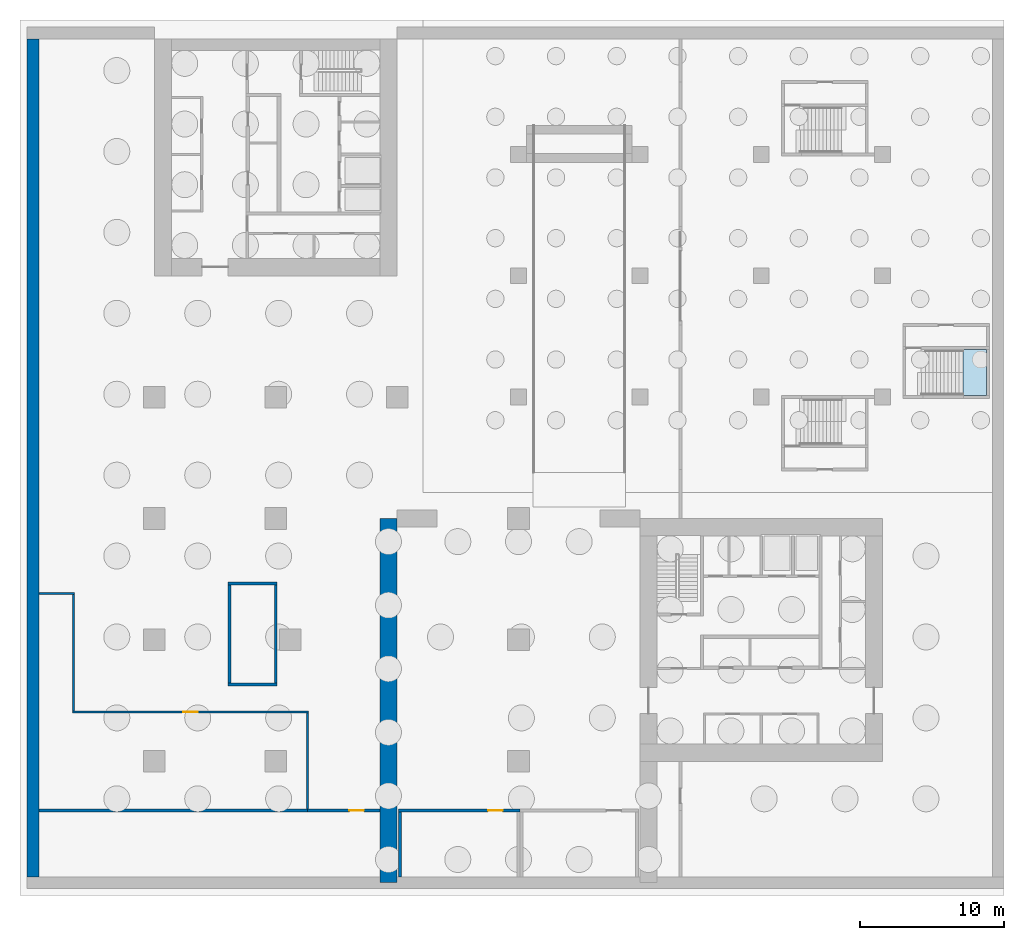
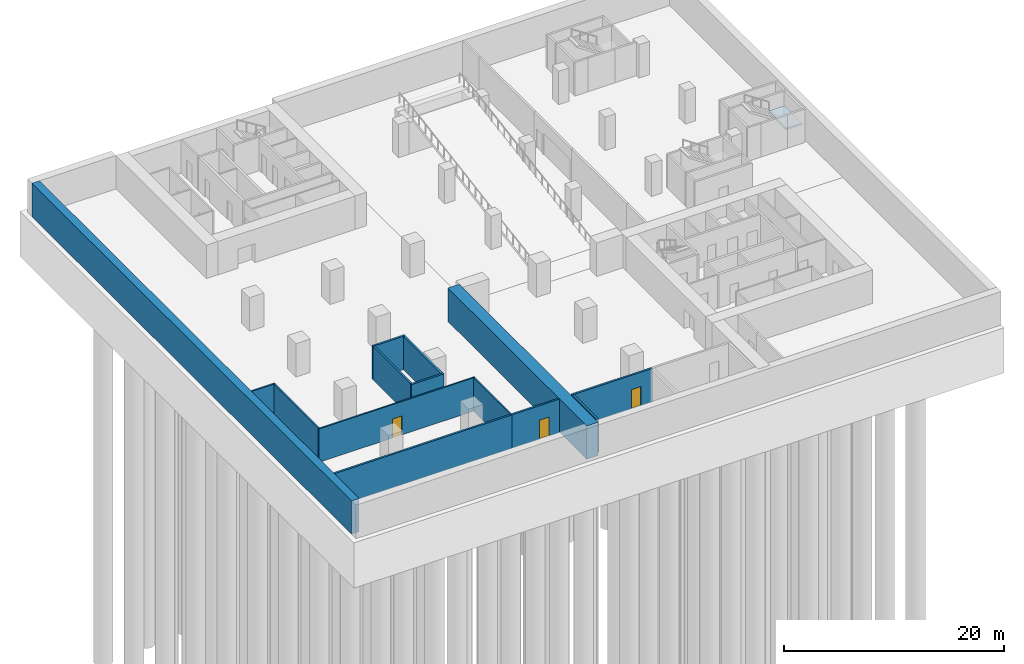
# One storey, part 2 of 8: 14 walls, 3 doors, 1 slab, 3 openings, 1 element without a shape of its own.
"""IFC4 building model written with IfcOpenShell, lengths in metres."""

from ifc_helpers import new_model, si_unit, direction, frame, frame_2d, origin, place, context, subcontext, project, spatial, polyline, rectangle, outline, extrude, material, layer, layer_set, type_object, element, fill, aggregate, save


model = new_model("IFC4")

# Units and contexts
model_context = context("Model", 3, precision=1e-05, world=origin(), true_north=direction((0.0, 1.0)))
body_context = subcontext(model_context, "Body", "Model", "MODEL_VIEW")
ifc_project = project(units=[si_unit("LENGTHUNIT", "METRE"), si_unit("AREAUNIT", "SQUARE_METRE"), si_unit("VOLUMEUNIT", "CUBIC_METRE"), si_unit("PLANEANGLEUNIT", "RADIAN"), si_unit("MASSUNIT", "GRAM", prefix="KILO")], contexts=[model_context])

# Site, building, storey
site_placement = place(None, origin())
site = spatial("IfcSite", under=ifc_project, at=site_placement, CompositionType="ELEMENT")
building_placement = place(site_placement, origin())
building = spatial("IfcBuilding", under=site, at=building_placement, Name="Vermilion Gate Residences", CompositionType="ELEMENT")
storey_placement = place(building_placement, frame((0.0, 0.0, -16.0)))
storey = spatial("IfcBuildingStorey", under=building, at=storey_placement, Name="B4", CompositionType="ELEMENT", Elevation=-16.0)

# Stair, slab
ifc_material_1 = material(Name="Concrete C30", Category="concrete")
stair_type = type_object("IfcStairType", Name="ESCAPE STAIR 1200 (AMENITY)", PredefinedType="HALF_TURN_STAIR", material=ifc_material_1)
stair_placement = place(storey_placement, origin())
stair = element("IfcStair", 1, at=stair_placement, inside=storey, type_object=stair_type, Name="Garage escape stair 16 B4 to B3", PredefinedType="HALF_TURN_STAIR")
ifc_material_2 = material(Name="Concrete C35", Category="concrete")
ifc_layer_1 = layer(ifc_material_2, 0.199951171875)
ifc_layer_set_1 = layer_set([ifc_layer_1], Name="STAIR LANDING 200 (AMENITY)")
slab_type = type_object("IfcSlabType", Name="STAIR LANDING 200 (AMENITY)", PredefinedType="LANDING", material=ifc_layer_set_1)
slab_placement = place(storey_placement, frame((0.0, 0.0, 1.886962890625)))
slab = element("IfcSlab", 2, at=slab_placement, type_object=slab_type, Name="STG16 landing 1", PredefinedType="LANDING", context=body_context, shape_type="SweptSolid", body=[
    extrude(outline(polyline([(64.360107421875, 33.699951171875), (66.0, 33.699951171875), (66.0, 36.89990234375), (64.360107421875, 36.89990234375), (64.360107421875, 33.699951171875)])), origin(), (0.0, 0.0, 1.0), 0.199951171875),
])
aggregate(stair, [slab])

# Wall
ifc_material_3 = material(Name="Concrete blockwork", Category="masonry")
ifc_layer_2 = layer(ifc_material_3, 0.199951171875)
ifc_layer_set_2 = layer_set([ifc_layer_2], Name="FIRE WALL 200 EI 120 (AMENITY)")
wall_type_1 = type_object("IfcWallType", Name="FIRE WALL 200 EI 120 (AMENITY)", PredefinedType="PARTITIONING", material=ifc_layer_set_2)
wall_1_placement = place(storey_placement, frame((0.39990234375, 5.0, 0.0), z_axis=(0.0, 0.0, 1.0), x_axis=(1.0, 0.0, 0.0)))
element("IfcWall", 3, at=wall_1_placement, inside=storey, type_object=wall_type_1, Name="Fire-resisting wall 1", PredefinedType="PARTITIONING", context=body_context, shape_type="SweptSolid", body=[
    extrude(rectangle(XDim=18.60009765625, YDim=0.199951171875, at=frame_2d((9.300048828125, 0.0))), origin(), (0.0, 0.0, 1.0), 3.699951171875),
])

# Wall, opening, door
wall_2_placement = place(storey_placement, frame((19.0, 5.0, 0.0), z_axis=(0.0, 0.0, 1.0), x_axis=(1.0, 0.0, 0.0)))
wall_2 = element("IfcWall", 4, at=wall_2_placement, inside=storey, type_object=wall_type_1, Name="Fire-resisting wall 6", PredefinedType="PARTITIONING", context=body_context, shape_type="SweptSolid", body=[
    extrude(rectangle(XDim=5.0, YDim=0.199951171875, at=frame_2d((2.5, 0.0))), origin(), (0.0, 0.0, 1.0), 3.699951171875),
])
opening_1_placement = place(wall_2_placement, frame((2.89990234375, 0.0, 0.0)))
opening_1 = element("IfcOpeningElement", 5, at=opening_1_placement, cuts=wall_2, Name="Opening DMB4001", PredefinedType="OPENING", context=body_context, shape_type="SweptSolid", body=[
    extrude(rectangle(XDim=1.0, YDim=2.10009765625, at=frame_2d((0.5, 1.050048828125))), frame((0.0, 0.10986328125, 0.0), z_axis=(0.0, -1.0, 0.0), x_axis=(1.0, 0.0, 0.0)), (0.0, 0.0, 1.0), 0.219970703125),
])
ifc_material_4 = material(Name="Steel", Category="steel")
door_type_1 = type_object("IfcDoorType", Name="DOOR 1000 X 2100 FD60 (AMENITY)", OperationType="SINGLE_SWING_LEFT", PredefinedType="DOOR", material=ifc_material_4)
door_1_placement = place(opening_1_placement, origin())
door_1 = element("IfcDoor", 6, at=door_1_placement, inside=storey, type_object=door_type_1, Name="Door B4 1", OperationType="SINGLE_SWING_RIGHT", OverallHeight=2.10009765625, OverallWidth=1.0, PredefinedType="DOOR", context=body_context, shape_type="SweptSolid", body=[
    extrude(rectangle(XDim=1.0, YDim=2.10009765625, at=frame_2d((0.5, 1.050048828125))), frame((0.0, 0.02490234375, 0.0), z_axis=(0.0, -1.0, 0.0), x_axis=(1.0, 0.0, 0.0)), (0.0, 0.0, 1.0), 0.050048828125),
])
fill(opening_1, door_1)

# Wall
wall_3_placement = place(storey_placement, frame((25.39990234375, 0.39990234375, 0.0), z_axis=(0.0, 0.0, 1.0), x_axis=(0.0, 1.0, 0.0)))
element("IfcWall", 7, at=wall_3_placement, inside=storey, type_object=wall_type_1, Name="Fire-resisting wall 7", PredefinedType="PARTITIONING", context=body_context, shape_type="SweptSolid", body=[
    extrude(rectangle(XDim=4.5, YDim=0.199951171875, at=frame_2d((2.25, 0.0))), origin(), (0.0, 0.0, 1.0), 3.699951171875),
])

# Wall, opening, door
wall_4_placement = place(storey_placement, frame((25.300048828125, 5.0, 0.0), z_axis=(0.0, 0.0, 1.0), x_axis=(1.0, 0.0, 0.0)))
wall_4 = element("IfcWall", 8, at=wall_4_placement, inside=storey, type_object=wall_type_1, Name="Fire-resisting wall 8", PredefinedType="PARTITIONING", context=body_context, shape_type="SweptSolid", body=[
    extrude(rectangle(XDim=8.39990234375, YDim=0.199951171875, at=frame_2d((4.199951171875, 0.0))), origin(), (0.0, 0.0, 1.0), 3.699951171875),
])
opening_2_placement = place(wall_4_placement, frame((6.199951171875, 0.0, 0.0)))
opening_2 = element("IfcOpeningElement", 9, at=opening_2_placement, cuts=wall_4, Name="Opening DMB4002", PredefinedType="OPENING", context=body_context, shape_type="SweptSolid", body=[
    extrude(rectangle(XDim=1.0, YDim=2.10009765625, at=frame_2d((0.5, 1.050048828125))), frame((0.0, 0.10986328125, 0.0), z_axis=(0.0, -1.0, 0.0), x_axis=(1.0, 0.0, 0.0)), (0.0, 0.0, 1.0), 0.219970703125),
])
door_2_placement = place(opening_2_placement, origin())
door_2 = element("IfcDoor", 10, at=door_2_placement, inside=storey, type_object=door_type_1, Name="Door B4 2", OperationType="SINGLE_SWING_LEFT", OverallHeight=2.10009765625, OverallWidth=1.0, PredefinedType="DOOR", context=body_context, shape_type="SweptSolid", body=[
    extrude(rectangle(XDim=1.0, YDim=2.10009765625, at=frame_2d((0.5, 1.050048828125))), frame((0.0, 0.02490234375, 0.0), z_axis=(0.0, -1.0, 0.0), x_axis=(1.0, 0.0, 0.0)), (0.0, 0.0, 1.0), 0.050048828125),
])
fill(opening_2, door_2)

# Walls
ifc_material_5 = material(Name="Gypsum board on steel studs", Category="steel")
ifc_layer_3 = layer(ifc_material_5, 0.14990234375)
ifc_layer_set_3 = layer_set([ifc_layer_3], Name="PARTITION 150 EI 60 (AMENITY)")
wall_type_2 = type_object("IfcWallType", Name="PARTITION 150 EI 60 (AMENITY)", PredefinedType="PARTITIONING", material=ifc_layer_set_3)
wall_5_placement = place(storey_placement, frame((0.39990234375, 20.0, 0.0), z_axis=(0.0, 0.0, 1.0), x_axis=(1.0, 0.0, 0.0)))
element("IfcWall", 11, at=wall_5_placement, inside=storey, type_object=wall_type_2, Name="Partition 2", PredefinedType="PARTITIONING", context=body_context, shape_type="SweptSolid", body=[
    extrude(rectangle(XDim=2.47509765625, YDim=0.14990234375, at=frame_2d((1.237548828125, 0.0))), origin(), (0.0, 0.0, 1.0), 3.699951171875),
])
wall_6_placement = place(storey_placement, frame((2.800048828125, 11.875, 0.0), z_axis=(0.0, 0.0, 1.0), x_axis=(0.0, 1.0, 0.0)))
element("IfcWall", 12, at=wall_6_placement, inside=storey, type_object=wall_type_2, Name="Partition 3", PredefinedType="PARTITIONING", context=body_context, shape_type="SweptSolid", body=[
    extrude(rectangle(XDim=8.050048828125, YDim=0.14990234375, at=frame_2d((4.02490234375, 0.0))), origin(), (0.0, 0.0, 1.0), 3.699951171875),
])

# Wall, opening, door
wall_7_placement = place(storey_placement, frame((2.72509765625, 11.800048828125, 0.0), z_axis=(0.0, 0.0, 1.0), x_axis=(1.0, 0.0, 0.0)))
wall_7 = element("IfcWall", 13, at=wall_7_placement, inside=storey, type_object=wall_type_2, Name="Partition 4", PredefinedType="PARTITIONING", context=body_context, shape_type="SweptSolid", body=[
    extrude(rectangle(XDim=16.349853515625, YDim=0.14990234375, at=frame_2d((8.1748046875, 0.0))), origin(), (0.0, 0.0, 1.0), 3.699951171875),
])
opening_3_placement = place(wall_7_placement, frame((7.675048828125, 0.0, 0.0)))
opening_3 = element("IfcOpeningElement", 14, at=opening_3_placement, cuts=wall_7, Name="Opening DMB4010", PredefinedType="OPENING", context=body_context, shape_type="SweptSolid", body=[
    extrude(rectangle(XDim=1.0, YDim=2.10009765625, at=frame_2d((0.5, 1.050048828125))), frame((0.0, 0.0849609375, 0.0), z_axis=(0.0, -1.0, 0.0), x_axis=(1.0, 0.0, 0.0)), (0.0, 0.0, 1.0), 0.169921875),
])
ifc_material_6 = material(Name="Steel", Category="steel")
door_type_2 = type_object("IfcDoorType", Name="DOOR 1000 X 2100 FD30 (AMENITY)", OperationType="SINGLE_SWING_LEFT", PredefinedType="DOOR", material=ifc_material_6)
door_3_placement = place(opening_3_placement, frame((1.0, 0.0, 0.0), z_axis=(0.0, 0.0, 1.0), x_axis=(-1.0, 0.0, 0.0)))
door_3 = element("IfcDoor", 15, at=door_3_placement, inside=storey, type_object=door_type_2, Name="Door B4 10", OperationType="SINGLE_SWING_RIGHT", OverallHeight=2.10009765625, OverallWidth=1.0, PredefinedType="DOOR", context=body_context, shape_type="SweptSolid", body=[
    extrude(rectangle(XDim=1.0, YDim=2.10009765625, at=frame_2d((0.5, 1.050048828125))), frame((0.0, 0.02490234375, 0.0), z_axis=(0.0, -1.0, 0.0), x_axis=(1.0, 0.0, 0.0)), (0.0, 0.0, 1.0), 0.050048828125),
])
fill(opening_3, door_3)

# Walls
wall_8_placement = place(storey_placement, frame((19.0, 5.10009765625, 0.0), z_axis=(0.0, 0.0, 1.0), x_axis=(0.0, 1.0, 0.0)))
element("IfcWall", 16, at=wall_8_placement, inside=storey, type_object=wall_type_2, Name="Partition 5", PredefinedType="PARTITIONING", context=body_context, shape_type="SweptSolid", body=[
    extrude(rectangle(XDim=6.625, YDim=0.14990234375, at=frame_2d((3.3125, 0.0))), origin(), (0.0, 0.0, 1.0), 3.699951171875),
])
ifc_material_7 = material(Name="Concrete C60", Category="concrete")
ifc_layer_4 = layer(ifc_material_7, 0.199951171875)
ifc_layer_set_4 = layer_set([ifc_layer_4], Name="RC CORE INTERNAL WALL 200 C60")
wall_type_3 = type_object("IfcWallType", Name="RC CORE INTERNAL WALL 200 C60", PredefinedType="SHEAR", material=ifc_layer_set_4)
for number, where, z_axis, x_axis, name in (
    (17, (13.60009765625, 13.800048828125, 0.0), (0.0, 0.0, 1.0), (0.0, 1.0, 0.0), "Apex stair wall W B4"),
    (18, (16.800048828125, 13.800048828125, 0.0), (0.0, 0.0, 1.0), (0.0, 1.0, 0.0), "Apex stair wall E B4"),
):
    element("IfcWall", number, at=place(storey_placement, frame(where, z_axis=z_axis, x_axis=x_axis)), inside=storey, type_object=wall_type_3, Name=name, PredefinedType="SHEAR", context=body_context, shape_type="SweptSolid", body=[
        extrude(rectangle(XDim=6.800048828125, YDim=0.199951171875, at=frame_2d((3.39990234375, 0.0))), origin(), (0.0, 0.0, 1.0), 3.699951171875),
    ])
for number, where, z_axis, x_axis, name in (
    (19, (13.5, 13.699951171875, 0.0), (0.0, 0.0, 1.0), (1.0, 0.0, 0.0), "Apex stair wall S B4"),
    (20, (13.5, 20.699951171875, 0.0), (0.0, 0.0, 1.0), (1.0, 0.0, 0.0), "Apex stair wall N B4"),
):
    element("IfcWall", number, at=place(storey_placement, frame(where, z_axis=z_axis, x_axis=x_axis)), inside=storey, type_object=wall_type_3, Name=name, PredefinedType="SHEAR", context=body_context, shape_type="SweptSolid", body=[
        extrude(rectangle(XDim=3.39990234375, YDim=0.199951171875, at=frame_2d((1.699951171875, 0.0))), origin(), (0.0, 0.0, 1.0), 3.699951171875),
    ])
ifc_material_8 = material(Name="Concrete C40", Category="concrete")
ifc_layer_5 = layer(ifc_material_8, 0.800048828125)
ifc_layer_set_5 = layer_set([ifc_layer_5], Name="RC DIAPHRAGM WALL 800 C40")
wall_type_4 = type_object("IfcWallType", Name="RC DIAPHRAGM WALL 800 C40", PredefinedType="SOLIDWALL", material=ifc_layer_set_5)
wall_9_placement = place(storey_placement, frame((0.0, 0.39990234375, 0.0), z_axis=(0.0, 0.0, 1.0), x_axis=(0.0, 1.0, 0.0)))
element("IfcWall", 21, at=wall_9_placement, inside=storey, type_object=wall_type_4, Name="Diaphragm wall B4 5", PredefinedType="SOLIDWALL", context=body_context, shape_type="SweptSolid", body=[
    extrude(rectangle(XDim=58.0, YDim=0.800048828125, at=frame_2d((29.0, 0.0))), origin(), (0.0, 0.0, 1.0), 3.699951171875),
])
ifc_material_9 = material(Name="Concrete C70", Category="concrete")
ifc_layer_6 = layer(ifc_material_9, 1.199951171875)
ifc_layer_set_6 = layer_set([ifc_layer_6], Name="RC GATE PIER WALL 1200 C70")
wall_type_5 = type_object("IfcWallType", Name="RC GATE PIER WALL 1200 C70", PredefinedType="SHEAR", material=ifc_layer_set_6)
wall_10_placement = place(storey_placement, frame((24.60009765625, 0.0, 0.0), z_axis=(0.0, 0.0, 1.0), x_axis=(0.0, 1.0, 0.0)))
element("IfcWall", 22, at=wall_10_placement, inside=storey, type_object=wall_type_5, Name="Gate pier wall W B4", PredefinedType="SHEAR", context=body_context, shape_type="SweptSolid", body=[
    extrude(rectangle(XDim=25.199951171875, YDim=1.199951171875, at=frame_2d((12.60009765625, 0.0))), origin(), (0.0, 0.0, 1.0), 3.699951171875),
])

save(model, "model.ifc")
